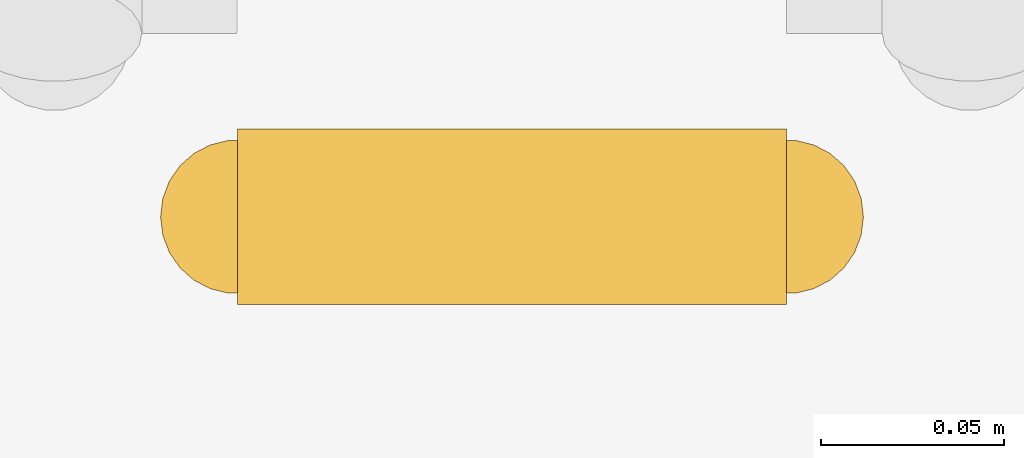
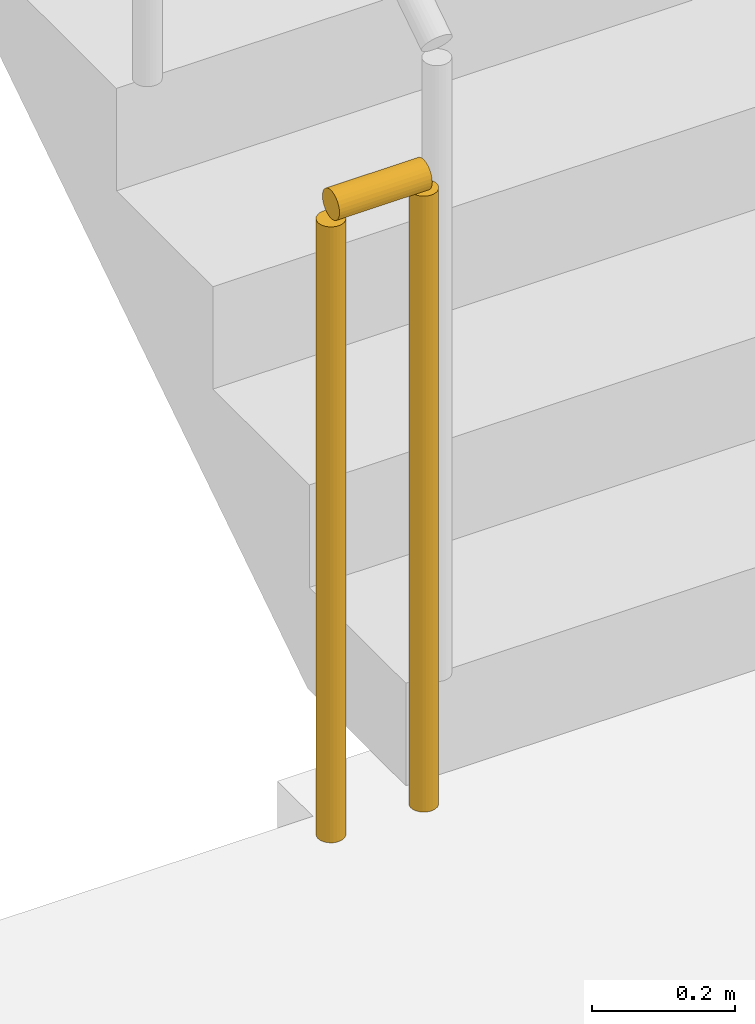
# One storey, part 14 of 19: 1 railing.
"""IFC4 building model written with IfcOpenShell, lengths in metres."""

from ifc_helpers import new_model, si_unit, direction, frame, origin, origin_2d, place, context, subcontext, project, spatial, circle, extrude, material, type_object, element, save


model = new_model("IFC4")

# Units and contexts
model_context = context("Model", 3, precision=1e-05, world=origin(), true_north=direction((0.0, 1.0)))
body_context = subcontext(model_context, "Body", "Model", "MODEL_VIEW")
ifc_project = project(units=[si_unit("LENGTHUNIT", "METRE"), si_unit("AREAUNIT", "SQUARE_METRE"), si_unit("VOLUMEUNIT", "CUBIC_METRE"), si_unit("PLANEANGLEUNIT", "RADIAN"), si_unit("MASSUNIT", "GRAM", prefix="KILO")], contexts=[model_context])

# Site, building, storey
site_placement = place(None, origin())
site = spatial("IfcSite", under=ifc_project, at=site_placement, CompositionType="ELEMENT")
building_placement = place(site_placement, origin())
building = spatial("IfcBuilding", under=site, at=building_placement, Name="Saffron Iwan Residences", CompositionType="ELEMENT")
storey_placement = place(building_placement, frame((0.0, 0.0, 215.0)))
storey = spatial("IfcBuildingStorey", under=building, at=storey_placement, Name="L57", CompositionType="ELEMENT", Elevation=215.0)

# Railing
ifc_material = material(Name="Steel S355", Category="steel")
railing_type = type_object("IfcRailingType", Name="Stair guard 1100", PredefinedType="GUARDRAIL", material=ifc_material)
railing_placement = place(storey_placement, frame((31.25, 67.800048828125, 0.0)))
element("IfcRailing", 1, at=railing_placement, inside=storey, type_object=railing_type, Name="L57 ST-W stair guard 2", PredefinedType="GUARDRAIL", context=body_context, shape_type="SweptSolid", body=[
    extrude(circle(Radius=0.02392578125, at=origin_2d()), frame((0.0, 0.0, 1.076171875), z_axis=(-1.0, 0.0, 0.0), x_axis=(0.0, -1.0, 0.0)), (0.0, 0.0, 1.0), 0.14990234375),
    extrude(circle(Radius=0.02099609375, at=origin_2d()), origin(), (0.0, 0.0, 1.0), 1.052001953125),
    extrude(circle(Radius=0.02099609375, at=origin_2d()), frame((-0.14990234375, 0.0, 0.0)), (0.0, 0.0, 1.0), 1.052001953125),
])

save(model, "model.ifc")
